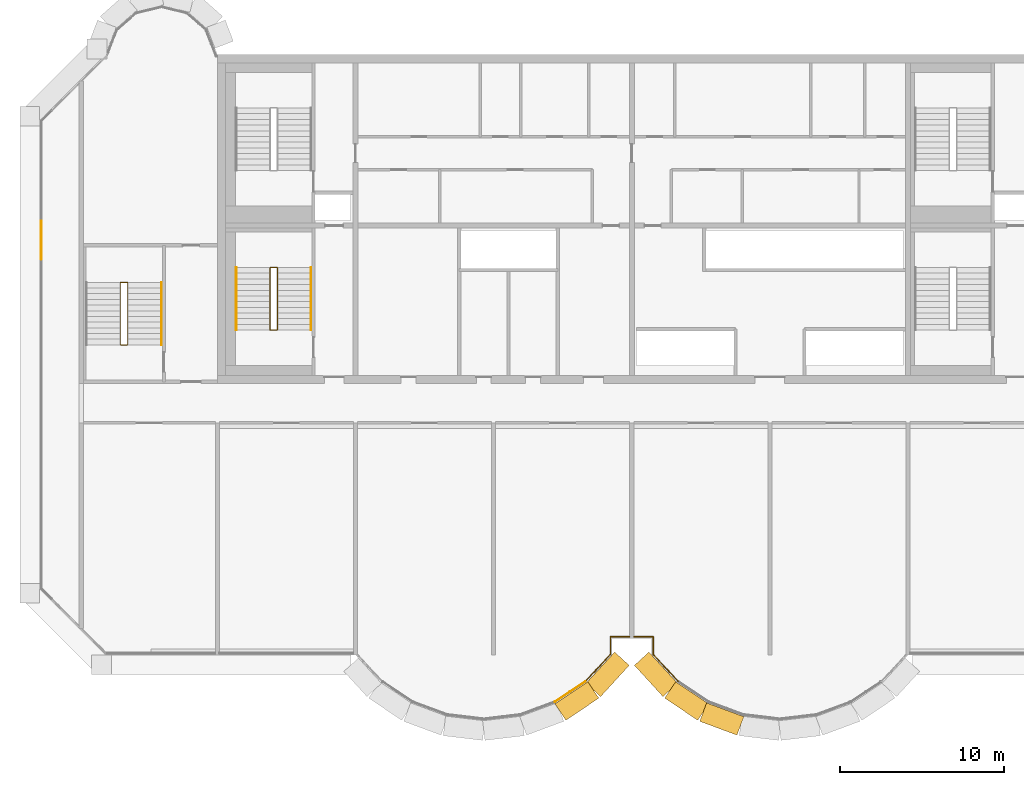
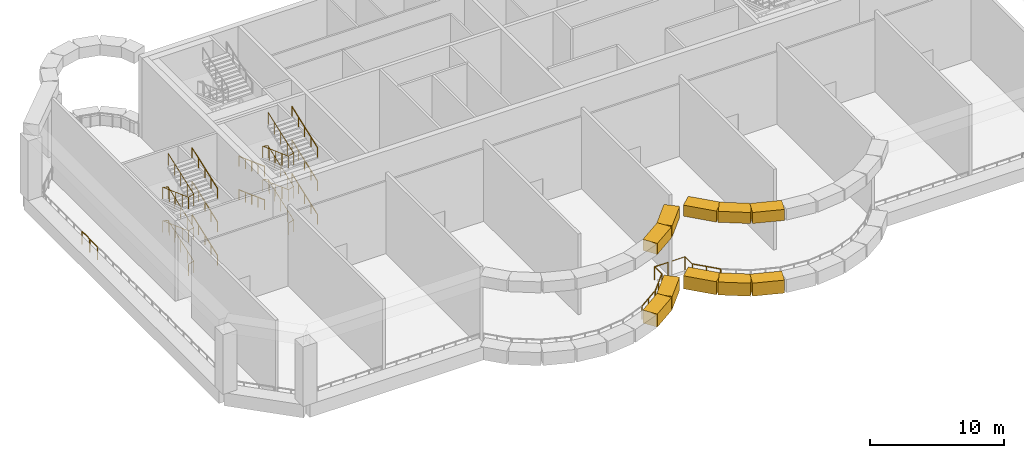
# One storey, part 7 of 11: 16 railings, 10 coverings.
"""IFC4 building model written with IfcOpenShell, lengths in metres."""

from ifc_helpers import new_model, si_unit, direction, frame, origin, origin_2d, place, context, subcontext, project, spatial, rectangle, circle, extrude, source, transform, mapped, material, type_object, element, save


model = new_model("IFC4")

# Units and contexts
model_context = context("Model", 3, precision=1e-05, world=origin(), true_north=direction((0.0, 1.0)))
body_context = subcontext(model_context, "Body", "Model", "MODEL_VIEW")
ifc_project = project(units=[si_unit("LENGTHUNIT", "METRE"), si_unit("AREAUNIT", "SQUARE_METRE"), si_unit("VOLUMEUNIT", "CUBIC_METRE"), si_unit("PLANEANGLEUNIT", "RADIAN"), si_unit("MASSUNIT", "GRAM", prefix="KILO")], contexts=[model_context])

# Site, building, storey
site_placement = place(None, origin())
site = spatial("IfcSite", under=ifc_project, at=site_placement, CompositionType="ELEMENT")
building_placement = place(site_placement, origin())
building = spatial("IfcBuilding", under=site, at=building_placement, Name="Vanashikhar Sky Hotel", CompositionType="ELEMENT")
storey_placement = place(building_placement, frame((0.0, 0.0, 270.10009765625)))
storey = spatial("IfcBuildingStorey", under=building, at=storey_placement, Name="L65", CompositionType="ELEMENT", Elevation=270.10009765625)

# Coverings
ifc_material_1 = material(Name="Concrete M60 dark", Category="concrete")
covering_type = type_object("IfcCoveringType", Name="Wind floor portal frame", PredefinedType="CLADDING", material=ifc_material_1)
shared_shape_1 = source(origin(), body_context, "Body", "SweptSolid", [
    extrude(rectangle(XDim=2.413818359375, YDim=1.199951171875, at=origin_2d()), origin(), (0.0, 0.0, 1.0), 1.0),
])
for number, where, z_axis, x_axis, name in (
    (1, (47.06005859375, 2.694091796875, 6.31982421875), (0.0, 0.0, 1.0), (0.829603213612, 0.558353389857, 0.0), "Portal frame head"),
    (2, (53.739990234375, 2.694091796875, 6.31982421875), (0.0, 0.0, 1.0), (0.829603213612, -0.558353389857, 0.0), "Portal frame head"),
    (3, (55.872802734375, 1.6005859375, 6.31982421875), (0.0, 0.0, 1.0), (0.937531182424, -0.347901253208, 0.0), "Portal frame head"),
):
    element("IfcCovering", number, at=place(storey_placement, frame(where, z_axis=z_axis, x_axis=x_axis)), inside=storey, type_object=covering_type, Name=name, PredefinedType="CLADDING", context=body_context, shape_type="MappedRepresentation", body=[
        mapped(shared_shape_1, transform((0.0, 0.0, 0.0), scale=1.0)),
    ])
shared_shape_2 = source(origin(), body_context, "Body", "SweptSolid", [
    extrude(rectangle(XDim=2.413818359375, YDim=1.199951171875, at=origin_2d()), origin(), (0.0, 0.0, 1.0), 1.179931640625),
])
for number, where, z_axis, x_axis, name in (
    (4, (47.06005859375, 2.694091796875, -0.2802734375), (0.0, 0.0, 1.0), (0.829603213612, 0.558353389857, 0.0), "Portal frame sill"),
    (5, (53.739990234375, 2.694091796875, -0.2802734375), (0.0, 0.0, 1.0), (0.829603213612, -0.558353389857, 0.0), "Portal frame sill"),
    (6, (55.872802734375, 1.6005859375, -0.2802734375), (0.0, 0.0, 1.0), (0.937531182424, -0.347901253208, 0.0), "Portal frame sill"),
):
    element("IfcCovering", number, at=place(storey_placement, frame(where, z_axis=z_axis, x_axis=x_axis)), inside=storey, type_object=covering_type, Name=name, PredefinedType="CLADDING", context=body_context, shape_type="MappedRepresentation", body=[
        mapped(shared_shape_2, transform((0.0, 0.0, 0.0), scale=1.0)),
    ])
shared_shape_3 = source(origin(), body_context, "Body", "SweptSolid", [
    extrude(rectangle(XDim=2.574462890625, YDim=1.199951171875, at=origin_2d()), origin(), (0.0, 0.0, 1.0), 1.0),
])
for number, where, z_axis, x_axis, name in (
    (7, (48.9306640625, 4.3173828125, 6.31982421875), (0.0, 0.0, 1.0), (0.67534568005, 0.737501330465, 0.0), "Portal frame head"),
    (8, (51.869384765625, 4.3173828125, 6.31982421875), (0.0, 0.0, 1.0), (0.67534568005, -0.737501330465, 0.0), "Portal frame head"),
):
    element("IfcCovering", number, at=place(storey_placement, frame(where, z_axis=z_axis, x_axis=x_axis)), inside=storey, type_object=covering_type, Name=name, PredefinedType="CLADDING", context=body_context, shape_type="MappedRepresentation", body=[
        mapped(shared_shape_3, transform((0.0, 0.0, 0.0), scale=1.0)),
    ])
shared_shape_4 = source(origin(), body_context, "Body", "SweptSolid", [
    extrude(rectangle(XDim=2.574462890625, YDim=1.199951171875, at=origin_2d()), origin(), (0.0, 0.0, 1.0), 1.179931640625),
])
for number, where, z_axis, x_axis, name in (
    (9, (48.9306640625, 4.3173828125, -0.2802734375), (0.0, 0.0, 1.0), (0.67534568005, 0.737501330465, 0.0), "Portal frame sill"),
    (10, (51.869384765625, 4.3173828125, -0.2802734375), (0.0, 0.0, 1.0), (0.67534568005, -0.737501330465, 0.0), "Portal frame sill"),
):
    element("IfcCovering", number, at=place(storey_placement, frame(where, z_axis=z_axis, x_axis=x_axis)), inside=storey, type_object=covering_type, Name=name, PredefinedType="CLADDING", context=body_context, shape_type="MappedRepresentation", body=[
        mapped(shared_shape_4, transform((0.0, 0.0, 0.0), scale=1.0)),
    ])

# Railings
ifc_material_2 = material(Name="Stainless steel 316", Category="steel")
railing_type_1 = type_object("IfcRailingType", Name="Open edge guard 1200", PredefinedType="GUARDRAIL", material=ifc_material_2)
shared_shape_5 = source(origin(), body_context, "Body", "SweptSolid", [
    extrude(circle(Radius=0.02392578125, at=origin_2d()), frame((0.0, 0.0, 1.17578125), z_axis=(0.0, 1.0, 0.0), x_axis=(-1.0, 0.0, 0.0)), (0.0, 0.0, 1.0), 2.324462890625),
    extrude(circle(Radius=0.02099609375, at=origin_2d()), origin(), (0.0, 0.0, 1.0), 1.15185546875),
    extrude(circle(Radius=0.02099609375, at=origin_2d()), frame((0.0, 1.162109375, 0.0)), (0.0, 0.0, 1.0), 1.15185546875),
    extrude(circle(Radius=0.02099609375, at=origin_2d()), frame((0.0, 2.324462890625, 0.0)), (0.0, 0.0, 1.0), 1.15185546875),
])
railing_1_placement = place(storey_placement, frame((14.5, 29.56103515625, 0.0)))
element("IfcRailing", 11, at=railing_1_placement, inside=storey, type_object=railing_type_1, Name="Open edge guard", PredefinedType="GUARDRAIL", context=body_context, shape_type="MappedRepresentation", body=[
    mapped(shared_shape_5, transform((0.0, 0.0, 0.0), scale=1.0)),
])
shared_shape_6 = source(origin(), body_context, "Body", "SweptSolid", [
    extrude(circle(Radius=0.02392578125, at=origin_2d()), frame((0.0, 0.0, 1.17578125), z_axis=(-1.0, 0.0, 0.0), x_axis=(0.0, -1.0, 0.0)), (0.0, 0.0, 1.0), 1.15478515625),
    extrude(circle(Radius=0.02392578125, at=origin_2d()), frame((-1.15478515625, 0.0, 1.17578125), z_axis=(0.0, -1.0, 0.0), x_axis=(1.0, 0.0, 0.0)), (0.0, 0.0, 1.0), 1.061279296875),
    extrude(circle(Radius=0.02392578125, at=origin_2d()), frame((-1.15478515625, -1.061279296875, 1.17578125), z_axis=(-0.680451099367, -0.732793491626, 0.0), x_axis=(0.732793491626, -0.680451099367, 0.0)), (0.0, 0.0, 1.0), 0.013916015625),
    extrude(circle(Radius=0.02099609375, at=origin_2d()), origin(), (0.0, 0.0, 1.0), 1.15185546875),
    extrude(circle(Radius=0.02099609375, at=origin_2d()), frame((-1.15478515625, 0.0, 0.0)), (0.0, 0.0, 1.0), 1.15185546875),
    extrude(circle(Radius=0.02099609375, at=origin_2d()), frame((-1.15478515625, -1.061279296875, 0.0)), (0.0, 0.0, 1.0), 1.15185546875),
    extrude(circle(Radius=0.02099609375, at=origin_2d()), frame((-1.164306640625, -1.071533203125, 0.0)), (0.0, 0.0, 1.0), 1.15185546875),
])
railing_2_placement = place(storey_placement, frame((50.2548828125, 6.60009765625, 0.0)))
element("IfcRailing", 12, at=railing_2_placement, inside=storey, type_object=railing_type_1, Name="Open edge guard", PredefinedType="GUARDRAIL", context=body_context, shape_type="MappedRepresentation", body=[
    mapped(shared_shape_6, transform((0.0, 0.0, 0.0), scale=1.0)),
])
shared_shape_7 = source(origin(), body_context, "Body", "SweptSolid", [
    extrude(circle(Radius=0.02392578125, at=origin_2d()), frame((0.0, 0.0, 1.17578125), z_axis=(-0.675368586829, -0.737480353585, 0.0), x_axis=(0.737480353585, -0.675368586829, 0.0)), (0.0, 0.0, 1.0), 2.205078125),
    extrude(circle(Radius=0.02392578125, at=origin_2d()), frame((-1.4892578125, -1.626220703125, 1.17578125), z_axis=(-0.830543991919, -0.556953029875, 0.0), x_axis=(0.556953029875, -0.830543991919, 0.0)), (0.0, 0.0, 1.0), 0.02490234375),
    extrude(circle(Radius=0.02099609375, at=origin_2d()), origin(), (0.0, 0.0, 1.0), 1.15185546875),
    extrude(circle(Radius=0.02099609375, at=origin_2d()), frame((-0.74462890625, -0.81298828125, 0.0)), (0.0, 0.0, 1.0), 1.15185546875),
    extrude(circle(Radius=0.02099609375, at=origin_2d()), frame((-1.4892578125, -1.626220703125, 0.0)), (0.0, 0.0, 1.0), 1.15185546875),
    extrude(circle(Radius=0.02099609375, at=origin_2d()), frame((-1.510009765625, -1.64013671875, 0.0)), (0.0, 0.0, 1.0), 1.15185546875),
])
railing_3_placement = place(storey_placement, frame((49.090576171875, 5.528564453125, 0.0)))
element("IfcRailing", 13, at=railing_3_placement, inside=storey, type_object=railing_type_1, Name="Open edge guard", PredefinedType="GUARDRAIL", context=body_context, shape_type="MappedRepresentation", body=[
    mapped(shared_shape_7, transform((0.0, 0.0, 0.0), scale=1.0)),
])
shared_shape_8 = source(origin(), body_context, "Body", "SweptSolid", [
    extrude(circle(Radius=0.02392578125, at=origin_2d()), frame((0.0, 0.0, 1.17578125), z_axis=(-0.829608299996, -0.558345832417, 0.0), x_axis=(0.558345832417, -0.829608299996, 0.0)), (0.0, 0.0, 1.0), 2.22216796875),
    extrude(circle(Radius=0.02392578125, at=origin_2d()), frame((-1.843505859375, -1.24072265625, 1.17578125), z_axis=(-0.942427745481, -0.334409845171, 0.0), x_axis=(0.334409845171, -0.942427745481, 0.0)), (0.0, 0.0, 1.0), 0.008056640625),
    extrude(circle(Radius=0.02099609375, at=origin_2d()), origin(), (0.0, 0.0, 1.0), 1.15185546875),
    extrude(circle(Radius=0.02099609375, at=origin_2d()), frame((-0.921875, -0.620361328125, 0.0)), (0.0, 0.0, 1.0), 1.15185546875),
    extrude(circle(Radius=0.02099609375, at=origin_2d()), frame((-1.843505859375, -1.24072265625, 0.0)), (0.0, 0.0, 1.0), 1.15185546875),
    extrude(circle(Radius=0.02099609375, at=origin_2d()), frame((-1.85107421875, -1.243408203125, 0.0)), (0.0, 0.0, 1.0), 1.15185546875),
])
railing_4_placement = place(storey_placement, frame((47.58056640625, 3.888427734375, 0.0)))
element("IfcRailing", 14, at=railing_4_placement, inside=storey, type_object=railing_type_1, Name="Open edge guard", PredefinedType="GUARDRAIL", context=body_context, shape_type="MappedRepresentation", body=[
    mapped(shared_shape_8, transform((0.0, 0.0, 0.0), scale=1.0)),
])
shared_shape_9 = source(origin(), body_context, "Body", "SweptSolid", [
    extrude(circle(Radius=0.02392578125, at=origin_2d()), frame((0.0, 0.0, 1.17578125), z_axis=(-0.830543991919, 0.556953029875, 0.0), x_axis=(-0.556953029875, -0.830543991919, 0.0)), (0.0, 0.0, 1.0), 0.02490234375),
    extrude(circle(Radius=0.02392578125, at=origin_2d()), frame((-0.020751953125, 0.013916015625, 1.17578125), z_axis=(-0.675368586829, 0.737480353585, 0.0), x_axis=(-0.737480353585, -0.675368586829, 0.0)), (0.0, 0.0, 1.0), 2.205078125),
    extrude(circle(Radius=0.02099609375, at=origin_2d()), origin(), (0.0, 0.0, 1.0), 1.15185546875),
    extrude(circle(Radius=0.02099609375, at=origin_2d()), frame((-0.020751953125, 0.013916015625, 0.0)), (0.0, 0.0, 1.0), 1.15185546875),
    extrude(circle(Radius=0.02099609375, at=origin_2d()), frame((-0.765380859375, 0.8271484375, 0.0)), (0.0, 0.0, 1.0), 1.15185546875),
    extrude(circle(Radius=0.02099609375, at=origin_2d()), frame((-1.510009765625, 1.64013671875, 0.0)), (0.0, 0.0, 1.0), 1.15185546875),
])
railing_5_placement = place(storey_placement, frame((53.219482421875, 3.888427734375, 0.0)))
element("IfcRailing", 15, at=railing_5_placement, inside=storey, type_object=railing_type_1, Name="Open edge guard", PredefinedType="GUARDRAIL", context=body_context, shape_type="MappedRepresentation", body=[
    mapped(shared_shape_9, transform((0.0, 0.0, 0.0), scale=1.0)),
])
shared_shape_10 = source(origin(), body_context, "Body", "SweptSolid", [
    extrude(circle(Radius=0.02392578125, at=origin_2d()), frame((0.0, 0.0, 1.17578125), z_axis=(-0.680451099367, 0.732793491626, 0.0), x_axis=(-0.732793491626, -0.680451099367, 0.0)), (0.0, 0.0, 1.0), 0.013916015625),
    extrude(circle(Radius=0.02392578125, at=origin_2d()), frame((-0.009521484375, 0.01025390625, 1.17578125), z_axis=(0.0, 1.0, 0.0), x_axis=(-1.0, 0.0, 0.0)), (0.0, 0.0, 1.0), 1.061279296875),
    extrude(circle(Radius=0.02392578125, at=origin_2d()), frame((-0.009521484375, 1.071533203125, 1.17578125), z_axis=(-1.0, 0.0, 0.0), x_axis=(0.0, -1.0, 0.0)), (0.0, 0.0, 1.0), 1.155029296875),
    extrude(circle(Radius=0.02099609375, at=origin_2d()), origin(), (0.0, 0.0, 1.0), 1.15185546875),
    extrude(circle(Radius=0.02099609375, at=origin_2d()), frame((-0.009521484375, 0.01025390625, 0.0)), (0.0, 0.0, 1.0), 1.15185546875),
    extrude(circle(Radius=0.02099609375, at=origin_2d()), frame((-0.009521484375, 1.071533203125, 0.0)), (0.0, 0.0, 1.0), 1.15185546875),
    extrude(circle(Radius=0.02099609375, at=origin_2d()), frame((-1.16455078125, 1.071533203125, 0.0)), (0.0, 0.0, 1.0), 1.15185546875),
])
railing_6_placement = place(storey_placement, frame((51.70947265625, 5.528564453125, 0.0)))
element("IfcRailing", 16, at=railing_6_placement, inside=storey, type_object=railing_type_1, Name="Open edge guard", PredefinedType="GUARDRAIL", context=body_context, shape_type="MappedRepresentation", body=[
    mapped(shared_shape_10, transform((0.0, 0.0, 0.0), scale=1.0)),
])
ifc_material_3 = material(Name="Steel S355", Category="steel")
railing_type_2 = type_object("IfcRailingType", Name="Stair handrail 900", PredefinedType="HANDRAIL", material=ifc_material_3)
shared_shape_11 = source(origin(), body_context, "Body", "SweptSolid", [
    extrude(circle(Radius=0.02392578125, at=origin_2d()), frame((0.0, 0.0, 0.8759765625), z_axis=(0.0, -0.938879565204, 0.344245787255), x_axis=(1.0, 0.0, 0.0)), (0.0, 0.0, 1.0), 4.04736328125),
    extrude(circle(Radius=0.02099609375, at=origin_2d()), origin(), (0.0, 0.0, 1.0), 0.851806640625),
    extrude(circle(Radius=0.02099609375, at=origin_2d()), frame((0.0, -0.949951171875, 0.348388671875)), (0.0, 0.0, 1.0), 0.851806640625),
    extrude(circle(Radius=0.02099609375, at=origin_2d()), frame((0.0, -1.89990234375, 0.69677734375)), (0.0, 0.0, 1.0), 0.851806640625),
    extrude(circle(Radius=0.02099609375, at=origin_2d()), frame((0.0, -2.85009765625, 1.044921875)), (0.0, 0.0, 1.0), 0.851806640625),
    extrude(circle(Radius=0.02099609375, at=origin_2d()), frame((0.0, -3.800048828125, 1.393310546875)), (0.0, 0.0, 1.0), 0.851806640625),
])
for number, where, name in (
    (17, (26.35009765625, 29.050048828125, 1.646484375), "Exit stair 1 handrail"),
    (18, (26.35009765625, 29.050048828125, 4.6865234375), "Exit stair 1 handrail"),
):
    element("IfcRailing", number, at=place(storey_placement, frame(where)), inside=storey, type_object=railing_type_2, Name=name, PredefinedType="HANDRAIL", context=body_context, shape_type="MappedRepresentation", body=[
        mapped(shared_shape_11, transform((0.0, 0.0, 0.0), scale=1.0)),
    ])
shared_shape_12 = source(origin(), body_context, "Body", "SweptSolid", [
    extrude(circle(Radius=0.02392578125, at=origin_2d()), frame((0.0, 0.0, 0.8759765625), z_axis=(0.0, 0.938879565204, 0.344245787255), x_axis=(-1.0, 0.0, 0.0)), (0.0, 0.0, 1.0), 4.04736328125),
    extrude(circle(Radius=0.02099609375, at=origin_2d()), origin(), (0.0, 0.0, 1.0), 0.851806640625),
    extrude(circle(Radius=0.02099609375, at=origin_2d()), frame((0.0, 0.949951171875, 0.348388671875)), (0.0, 0.0, 1.0), 0.851806640625),
    extrude(circle(Radius=0.02099609375, at=origin_2d()), frame((0.0, 1.89990234375, 0.69677734375)), (0.0, 0.0, 1.0), 0.851806640625),
    extrude(circle(Radius=0.02099609375, at=origin_2d()), frame((0.0, 2.85009765625, 1.044921875)), (0.0, 0.0, 1.0), 0.851806640625),
    extrude(circle(Radius=0.02099609375, at=origin_2d()), frame((0.0, 3.800048828125, 1.393310546875)), (0.0, 0.0, 1.0), 0.851806640625),
])
for number, where, name in (
    (19, (30.89990234375, 25.25, 3.16650390625), "Exit stair 1 handrail"),
    (20, (30.89990234375, 25.25, 6.20654296875), "Exit stair 1 handrail"),
):
    element("IfcRailing", number, at=place(storey_placement, frame(where)), inside=storey, type_object=railing_type_2, Name=name, PredefinedType="HANDRAIL", context=body_context, shape_type="MappedRepresentation", body=[
        mapped(shared_shape_12, transform((0.0, 0.0, 0.0), scale=1.0)),
    ])
railing_type_3 = type_object("IfcRailingType", Name="Stair guard 1100", PredefinedType="GUARDRAIL", material=ifc_material_3)
shared_shape_13 = source(origin(), body_context, "Body", "SweptSolid", [
    extrude(circle(Radius=0.02392578125, at=origin_2d()), frame((0.0, 0.0, 1.076171875), z_axis=(0.962735939171, 0.0, 0.270443175971), x_axis=(0.0, 1.0, 0.0)), (0.0, 0.0, 1.0), 0.467529296875),
    extrude(circle(Radius=0.02392578125, at=origin_2d()), frame((0.4501953125, 0.0, 1.20263671875), z_axis=(0.0, 0.938860068383, 0.344298957297), x_axis=(-1.0, 0.0, 0.0)), (0.0, 0.0, 1.0), 4.047607421875),
    extrude(circle(Radius=0.02392578125, at=origin_2d()), frame((0.4501953125, 3.800048828125, 2.59619140625), z_axis=(-0.962735939171, 0.0, 0.270443175971), x_axis=(0.0, -1.0, 0.0)), (0.0, 0.0, 1.0), 0.467529296875),
    extrude(circle(Radius=0.02392578125, at=origin_2d()), frame((0.0, 3.800048828125, 2.72265625), z_axis=(0.0, -0.938879565204, 0.344245787255), x_axis=(1.0, 0.0, 0.0)), (0.0, 0.0, 1.0), 4.04736328125),
    extrude(circle(Radius=0.02392578125, at=origin_2d()), frame((0.0, 0.0, 4.11572265625), z_axis=(0.962599902366, 0.0, 0.270926979028), x_axis=(0.0, 1.0, 0.0)), (0.0, 0.0, 1.0), 0.4677734375),
    extrude(circle(Radius=0.02392578125, at=origin_2d()), frame((0.4501953125, 0.0, 4.24267578125), z_axis=(0.0, 0.938879565204, 0.344245787255), x_axis=(-1.0, 0.0, 0.0)), (0.0, 0.0, 1.0), 4.04736328125),
    extrude(circle(Radius=0.02392578125, at=origin_2d()), frame((0.4501953125, 3.800048828125, 5.6357421875), z_axis=(-0.962599902366, 0.0, 0.270926979028), x_axis=(0.0, -1.0, 0.0)), (0.0, 0.0, 1.0), 0.4677734375),
    extrude(circle(Radius=0.02392578125, at=origin_2d()), frame((0.0, 3.800048828125, 5.7626953125), z_axis=(0.0, -0.938879565204, 0.344245787255), x_axis=(1.0, 0.0, 0.0)), (0.0, 0.0, 1.0), 4.04736328125),
    extrude(circle(Radius=0.02392578125, at=origin_2d()), frame((0.0, 0.0, 7.15576171875), z_axis=(0.962599902366, 0.0, 0.270926979028), x_axis=(0.0, 1.0, 0.0)), (0.0, 0.0, 1.0), 0.4677734375),
    extrude(circle(Radius=0.02392578125, at=origin_2d()), frame((0.4501953125, 0.0, 7.28271484375), z_axis=(0.0, 0.938879565204, 0.344245787255), x_axis=(-1.0, 0.0, 0.0)), (0.0, 0.0, 1.0), 4.04736328125),
    extrude(circle(Radius=0.02099609375, at=origin_2d()), origin(), (0.0, 0.0, 1.0), 1.052001953125),
    extrude(circle(Radius=0.02099609375, at=origin_2d()), frame((0.4501953125, 0.0, 0.12646484375)), (0.0, 0.0, 1.0), 1.052001953125),
    extrude(circle(Radius=0.02099609375, at=origin_2d()), frame((0.4501953125, 0.949951171875, 0.474853515625)), (0.0, 0.0, 1.0), 1.052001953125),
    extrude(circle(Radius=0.02099609375, at=origin_2d()), frame((0.4501953125, 1.89990234375, 0.8232421875)), (0.0, 0.0, 1.0), 1.052001953125),
    extrude(circle(Radius=0.02099609375, at=origin_2d()), frame((0.4501953125, 2.85009765625, 1.171630859375)), (0.0, 0.0, 1.0), 1.052001953125),
    extrude(circle(Radius=0.02099609375, at=origin_2d()), frame((0.4501953125, 3.800048828125, 1.52001953125)), (0.0, 0.0, 1.0), 1.052001953125),
    extrude(circle(Radius=0.02099609375, at=origin_2d()), frame((0.0, 3.800048828125, 1.646484375)), (0.0, 0.0, 1.0), 1.052001953125),
    extrude(circle(Radius=0.02099609375, at=origin_2d()), frame((0.0, 2.85009765625, 1.994873046875)), (0.0, 0.0, 1.0), 1.052001953125),
    extrude(circle(Radius=0.02099609375, at=origin_2d()), frame((0.0, 1.89990234375, 2.34326171875)), (0.0, 0.0, 1.0), 1.052001953125),
    extrude(circle(Radius=0.02099609375, at=origin_2d()), frame((0.0, 0.949951171875, 2.69140625)), (0.0, 0.0, 1.0), 1.052001953125),
    extrude(circle(Radius=0.02099609375, at=origin_2d()), frame((0.0, 0.0, 3.039794921875)), (0.0, 0.0, 1.0), 1.052001953125),
    extrude(circle(Radius=0.02099609375, at=origin_2d()), frame((0.4501953125, 0.0, 3.16650390625)), (0.0, 0.0, 1.0), 1.052001953125),
    extrude(circle(Radius=0.02099609375, at=origin_2d()), frame((0.4501953125, 0.949951171875, 3.514892578125)), (0.0, 0.0, 1.0), 1.052001953125),
    extrude(circle(Radius=0.02099609375, at=origin_2d()), frame((0.4501953125, 1.89990234375, 3.86328125)), (0.0, 0.0, 1.0), 1.052001953125),
    extrude(circle(Radius=0.02099609375, at=origin_2d()), frame((0.4501953125, 2.85009765625, 4.21142578125)), (0.0, 0.0, 1.0), 1.052001953125),
    extrude(circle(Radius=0.02099609375, at=origin_2d()), frame((0.4501953125, 3.800048828125, 4.559814453125)), (0.0, 0.0, 1.0), 1.052001953125),
    extrude(circle(Radius=0.02099609375, at=origin_2d()), frame((0.0, 3.800048828125, 4.6865234375)), (0.0, 0.0, 1.0), 1.052001953125),
    extrude(circle(Radius=0.02099609375, at=origin_2d()), frame((0.0, 2.85009765625, 5.034912109375)), (0.0, 0.0, 1.0), 1.052001953125),
    extrude(circle(Radius=0.02099609375, at=origin_2d()), frame((0.0, 1.89990234375, 5.38330078125)), (0.0, 0.0, 1.0), 1.052001953125),
    extrude(circle(Radius=0.02099609375, at=origin_2d()), frame((0.0, 0.949951171875, 5.7314453125)), (0.0, 0.0, 1.0), 1.052001953125),
    extrude(circle(Radius=0.02099609375, at=origin_2d()), frame((0.0, 0.0, 6.079833984375)), (0.0, 0.0, 1.0), 1.052001953125),
    extrude(circle(Radius=0.02099609375, at=origin_2d()), frame((0.4501953125, 0.0, 6.20654296875)), (0.0, 0.0, 1.0), 1.052001953125),
    extrude(circle(Radius=0.02099609375, at=origin_2d()), frame((0.4501953125, 0.949951171875, 6.554931640625)), (0.0, 0.0, 1.0), 1.052001953125),
    extrude(circle(Radius=0.02099609375, at=origin_2d()), frame((0.4501953125, 1.89990234375, 6.9033203125)), (0.0, 0.0, 1.0), 1.052001953125),
    extrude(circle(Radius=0.02099609375, at=origin_2d()), frame((0.4501953125, 2.85009765625, 7.25146484375)), (0.0, 0.0, 1.0), 1.052001953125),
    extrude(circle(Radius=0.02099609375, at=origin_2d()), frame((0.4501953125, 3.800048828125, 7.599853515625)), (0.0, 0.0, 1.0), 1.052001953125),
])
railing_7_placement = place(storey_placement, frame((28.39990234375, 25.25, 0.0)))
element("IfcRailing", 21, at=railing_7_placement, inside=storey, type_object=railing_type_3, Name="Exit stair 1 guard", PredefinedType="GUARDRAIL", context=body_context, shape_type="MappedRepresentation", body=[
    mapped(shared_shape_13, transform((0.0, 0.0, 0.0), scale=1.0)),
])
shared_shape_14 = source(origin(), body_context, "Body", "SweptSolid", [
    extrude(circle(Radius=0.02392578125, at=origin_2d()), frame((0.0, 0.0, 0.8759765625), z_axis=(0.0, 0.938860068383, 0.344298957297), x_axis=(-1.0, 0.0, 0.0)), (0.0, 0.0, 1.0), 4.047607421875),
    extrude(circle(Radius=0.02099609375, at=origin_2d()), origin(), (0.0, 0.0, 1.0), 0.851806640625),
    extrude(circle(Radius=0.02099609375, at=origin_2d()), frame((0.0, 0.949951171875, 0.348388671875)), (0.0, 0.0, 1.0), 0.851806640625),
    extrude(circle(Radius=0.02099609375, at=origin_2d()), frame((0.0, 1.89990234375, 0.69677734375)), (0.0, 0.0, 1.0), 0.851806640625),
    extrude(circle(Radius=0.02099609375, at=origin_2d()), frame((0.0, 2.85009765625, 1.045166015625)), (0.0, 0.0, 1.0), 0.851806640625),
    extrude(circle(Radius=0.02099609375, at=origin_2d()), frame((0.0, 3.800048828125, 1.3935546875)), (0.0, 0.0, 1.0), 0.851806640625),
])
railing_8_placement = place(storey_placement, frame((30.89990234375, 25.25, 0.12646484375)))
element("IfcRailing", 22, at=railing_8_placement, inside=storey, type_object=railing_type_2, Name="Exit stair 1 handrail", PredefinedType="HANDRAIL", context=body_context, shape_type="MappedRepresentation", body=[
    mapped(shared_shape_14, transform((0.0, 0.0, 0.0), scale=1.0)),
])
shared_shape_15 = source(origin(), body_context, "Body", "SweptSolid", [
    extrude(circle(Radius=0.02392578125, at=origin_2d()), frame((0.0, 0.0, 0.8759765625), z_axis=(0.0, 0.938872416375, 0.344265284005), x_axis=(-1.0, 0.0, 0.0)), (0.0, 0.0, 1.0), 4.047119140625),
    extrude(circle(Radius=0.02099609375, at=origin_2d()), origin(), (0.0, 0.0, 1.0), 0.851806640625),
    extrude(circle(Radius=0.02099609375, at=origin_2d()), frame((0.0, 0.949951171875, 0.348388671875)), (0.0, 0.0, 1.0), 0.851806640625),
    extrude(circle(Radius=0.02099609375, at=origin_2d()), frame((0.0, 1.89990234375, 0.69677734375)), (0.0, 0.0, 1.0), 0.851806640625),
    extrude(circle(Radius=0.02099609375, at=origin_2d()), frame((0.0, 2.849853515625, 1.044921875)), (0.0, 0.0, 1.0), 0.851806640625),
    extrude(circle(Radius=0.02099609375, at=origin_2d()), frame((0.0, 3.7998046875, 1.393310546875)), (0.0, 0.0, 1.0), 0.851806640625),
])
for number, where, name in (
    (23, (21.800048828125, 24.35009765625, 3.16650390625), "Exit stair 3 handrail"),
    (24, (21.800048828125, 24.35009765625, 6.20654296875), "Exit stair 3 handrail"),
):
    element("IfcRailing", number, at=place(storey_placement, frame(where)), inside=storey, type_object=railing_type_2, Name=name, PredefinedType="HANDRAIL", context=body_context, shape_type="MappedRepresentation", body=[
        mapped(shared_shape_15, transform((0.0, 0.0, 0.0), scale=1.0)),
    ])
shared_shape_16 = source(origin(), body_context, "Body", "SweptSolid", [
    extrude(circle(Radius=0.02392578125, at=origin_2d()), frame((0.0, 0.0, 1.076171875), z_axis=(0.962697724876, 0.0, 0.270579176064), x_axis=(0.0, 1.0, 0.0)), (0.0, 0.0, 1.0), 0.46728515625),
    extrude(circle(Radius=0.02392578125, at=origin_2d()), frame((0.449951171875, 0.0, 1.20263671875), z_axis=(0.0, 0.938852917494, 0.344318456249), x_axis=(-1.0, 0.0, 0.0)), (0.0, 0.0, 1.0), 4.04736328125),
    extrude(circle(Radius=0.02392578125, at=origin_2d()), frame((0.449951171875, 3.7998046875, 2.59619140625), z_axis=(-0.962697724876, 0.0, 0.270579176064), x_axis=(0.0, -1.0, 0.0)), (0.0, 0.0, 1.0), 0.46728515625),
    extrude(circle(Radius=0.02392578125, at=origin_2d()), frame((0.0, 3.7998046875, 2.72265625), z_axis=(0.0, -0.938872416375, 0.344265284005), x_axis=(1.0, 0.0, 0.0)), (0.0, 0.0, 1.0), 4.047119140625),
    extrude(circle(Radius=0.02392578125, at=origin_2d()), frame((0.0, 0.0, 4.11572265625), z_axis=(0.962561556651, 0.0, 0.271063183886), x_axis=(0.0, 1.0, 0.0)), (0.0, 0.0, 1.0), 0.467529296875),
    extrude(circle(Radius=0.02392578125, at=origin_2d()), frame((0.449951171875, 0.0, 4.24267578125), z_axis=(0.0, 0.938872416375, 0.344265284005), x_axis=(-1.0, 0.0, 0.0)), (0.0, 0.0, 1.0), 4.047119140625),
    extrude(circle(Radius=0.02392578125, at=origin_2d()), frame((0.449951171875, 3.7998046875, 5.6357421875), z_axis=(-0.962561556651, 0.0, 0.271063183886), x_axis=(0.0, -1.0, 0.0)), (0.0, 0.0, 1.0), 0.467529296875),
    extrude(circle(Radius=0.02392578125, at=origin_2d()), frame((0.0, 3.7998046875, 5.7626953125), z_axis=(0.0, -0.938872416375, 0.344265284005), x_axis=(1.0, 0.0, 0.0)), (0.0, 0.0, 1.0), 4.047119140625),
    extrude(circle(Radius=0.02392578125, at=origin_2d()), frame((0.0, 0.0, 7.15576171875), z_axis=(0.962561556651, 0.0, 0.271063183886), x_axis=(0.0, 1.0, 0.0)), (0.0, 0.0, 1.0), 0.467529296875),
    extrude(circle(Radius=0.02392578125, at=origin_2d()), frame((0.449951171875, 0.0, 7.28271484375), z_axis=(0.0, 0.938872416375, 0.344265284005), x_axis=(-1.0, 0.0, 0.0)), (0.0, 0.0, 1.0), 4.047119140625),
    extrude(circle(Radius=0.02099609375, at=origin_2d()), origin(), (0.0, 0.0, 1.0), 1.052001953125),
    extrude(circle(Radius=0.02099609375, at=origin_2d()), frame((0.449951171875, 0.0, 0.12646484375)), (0.0, 0.0, 1.0), 1.052001953125),
    extrude(circle(Radius=0.02099609375, at=origin_2d()), frame((0.449951171875, 0.949951171875, 0.474853515625)), (0.0, 0.0, 1.0), 1.052001953125),
    extrude(circle(Radius=0.02099609375, at=origin_2d()), frame((0.449951171875, 1.89990234375, 0.8232421875)), (0.0, 0.0, 1.0), 1.052001953125),
    extrude(circle(Radius=0.02099609375, at=origin_2d()), frame((0.449951171875, 2.849853515625, 1.171630859375)), (0.0, 0.0, 1.0), 1.052001953125),
    extrude(circle(Radius=0.02099609375, at=origin_2d()), frame((0.449951171875, 3.7998046875, 1.52001953125)), (0.0, 0.0, 1.0), 1.052001953125),
    extrude(circle(Radius=0.02099609375, at=origin_2d()), frame((0.0, 3.7998046875, 1.646484375)), (0.0, 0.0, 1.0), 1.052001953125),
    extrude(circle(Radius=0.02099609375, at=origin_2d()), frame((0.0, 2.849853515625, 1.994873046875)), (0.0, 0.0, 1.0), 1.052001953125),
    extrude(circle(Radius=0.02099609375, at=origin_2d()), frame((0.0, 1.89990234375, 2.34326171875)), (0.0, 0.0, 1.0), 1.052001953125),
    extrude(circle(Radius=0.02099609375, at=origin_2d()), frame((0.0, 0.949951171875, 2.69140625)), (0.0, 0.0, 1.0), 1.052001953125),
    extrude(circle(Radius=0.02099609375, at=origin_2d()), frame((0.0, 0.0, 3.039794921875)), (0.0, 0.0, 1.0), 1.052001953125),
    extrude(circle(Radius=0.02099609375, at=origin_2d()), frame((0.449951171875, 0.0, 3.16650390625)), (0.0, 0.0, 1.0), 1.052001953125),
    extrude(circle(Radius=0.02099609375, at=origin_2d()), frame((0.449951171875, 0.949951171875, 3.514892578125)), (0.0, 0.0, 1.0), 1.052001953125),
    extrude(circle(Radius=0.02099609375, at=origin_2d()), frame((0.449951171875, 1.89990234375, 3.86328125)), (0.0, 0.0, 1.0), 1.052001953125),
    extrude(circle(Radius=0.02099609375, at=origin_2d()), frame((0.449951171875, 2.849853515625, 4.21142578125)), (0.0, 0.0, 1.0), 1.052001953125),
    extrude(circle(Radius=0.02099609375, at=origin_2d()), frame((0.449951171875, 3.7998046875, 4.559814453125)), (0.0, 0.0, 1.0), 1.052001953125),
    extrude(circle(Radius=0.02099609375, at=origin_2d()), frame((0.0, 3.7998046875, 4.6865234375)), (0.0, 0.0, 1.0), 1.052001953125),
    extrude(circle(Radius=0.02099609375, at=origin_2d()), frame((0.0, 2.849853515625, 5.034912109375)), (0.0, 0.0, 1.0), 1.052001953125),
    extrude(circle(Radius=0.02099609375, at=origin_2d()), frame((0.0, 1.89990234375, 5.38330078125)), (0.0, 0.0, 1.0), 1.052001953125),
    extrude(circle(Radius=0.02099609375, at=origin_2d()), frame((0.0, 0.949951171875, 5.7314453125)), (0.0, 0.0, 1.0), 1.052001953125),
    extrude(circle(Radius=0.02099609375, at=origin_2d()), frame((0.0, 0.0, 6.079833984375)), (0.0, 0.0, 1.0), 1.052001953125),
    extrude(circle(Radius=0.02099609375, at=origin_2d()), frame((0.449951171875, 0.0, 6.20654296875)), (0.0, 0.0, 1.0), 1.052001953125),
    extrude(circle(Radius=0.02099609375, at=origin_2d()), frame((0.449951171875, 0.949951171875, 6.554931640625)), (0.0, 0.0, 1.0), 1.052001953125),
    extrude(circle(Radius=0.02099609375, at=origin_2d()), frame((0.449951171875, 1.89990234375, 6.9033203125)), (0.0, 0.0, 1.0), 1.052001953125),
    extrude(circle(Radius=0.02099609375, at=origin_2d()), frame((0.449951171875, 2.849853515625, 7.25146484375)), (0.0, 0.0, 1.0), 1.052001953125),
    extrude(circle(Radius=0.02099609375, at=origin_2d()), frame((0.449951171875, 3.7998046875, 7.599853515625)), (0.0, 0.0, 1.0), 1.052001953125),
])
railing_9_placement = place(storey_placement, frame((19.300048828125, 24.35009765625, 0.0)))
element("IfcRailing", 25, at=railing_9_placement, inside=storey, type_object=railing_type_3, Name="Exit stair 3 guard", PredefinedType="GUARDRAIL", context=body_context, shape_type="MappedRepresentation", body=[
    mapped(shared_shape_16, transform((0.0, 0.0, 0.0), scale=1.0)),
])
shared_shape_17 = source(origin(), body_context, "Body", "SweptSolid", [
    extrude(circle(Radius=0.02392578125, at=origin_2d()), frame((0.0, 0.0, 0.8759765625), z_axis=(0.0, 0.938852917494, 0.344318456249), x_axis=(-1.0, 0.0, 0.0)), (0.0, 0.0, 1.0), 4.04736328125),
    extrude(circle(Radius=0.02099609375, at=origin_2d()), origin(), (0.0, 0.0, 1.0), 0.851806640625),
    extrude(circle(Radius=0.02099609375, at=origin_2d()), frame((0.0, 0.949951171875, 0.348388671875)), (0.0, 0.0, 1.0), 0.851806640625),
    extrude(circle(Radius=0.02099609375, at=origin_2d()), frame((0.0, 1.89990234375, 0.69677734375)), (0.0, 0.0, 1.0), 0.851806640625),
    extrude(circle(Radius=0.02099609375, at=origin_2d()), frame((0.0, 2.849853515625, 1.045166015625)), (0.0, 0.0, 1.0), 0.851806640625),
    extrude(circle(Radius=0.02099609375, at=origin_2d()), frame((0.0, 3.7998046875, 1.3935546875)), (0.0, 0.0, 1.0), 0.851806640625),
])
railing_10_placement = place(storey_placement, frame((21.800048828125, 24.35009765625, 0.12646484375)))
element("IfcRailing", 26, at=railing_10_placement, inside=storey, type_object=railing_type_2, Name="Exit stair 3 handrail", PredefinedType="HANDRAIL", context=body_context, shape_type="MappedRepresentation", body=[
    mapped(shared_shape_17, transform((0.0, 0.0, 0.0), scale=1.0)),
])

save(model, "model.ifc")
